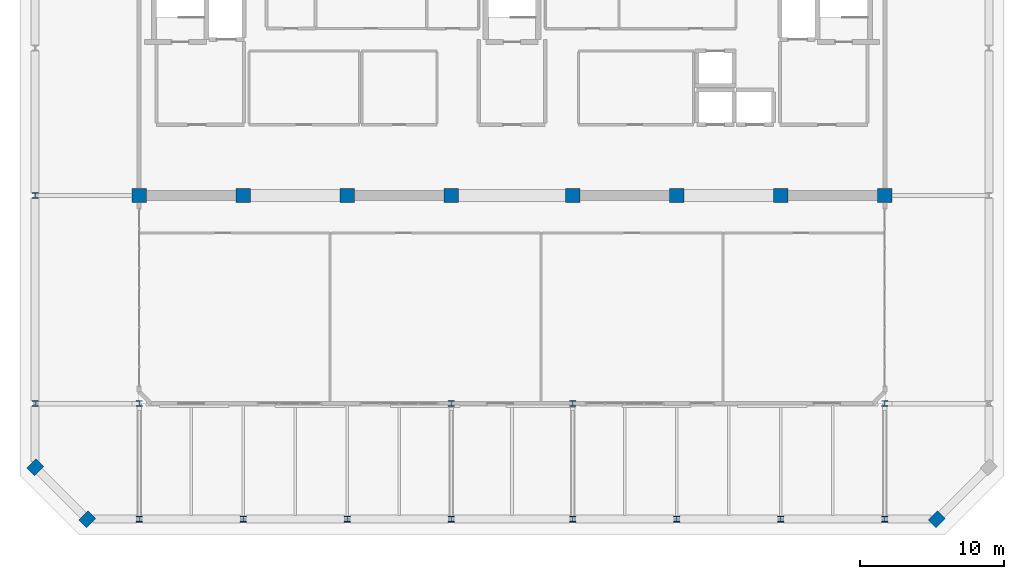
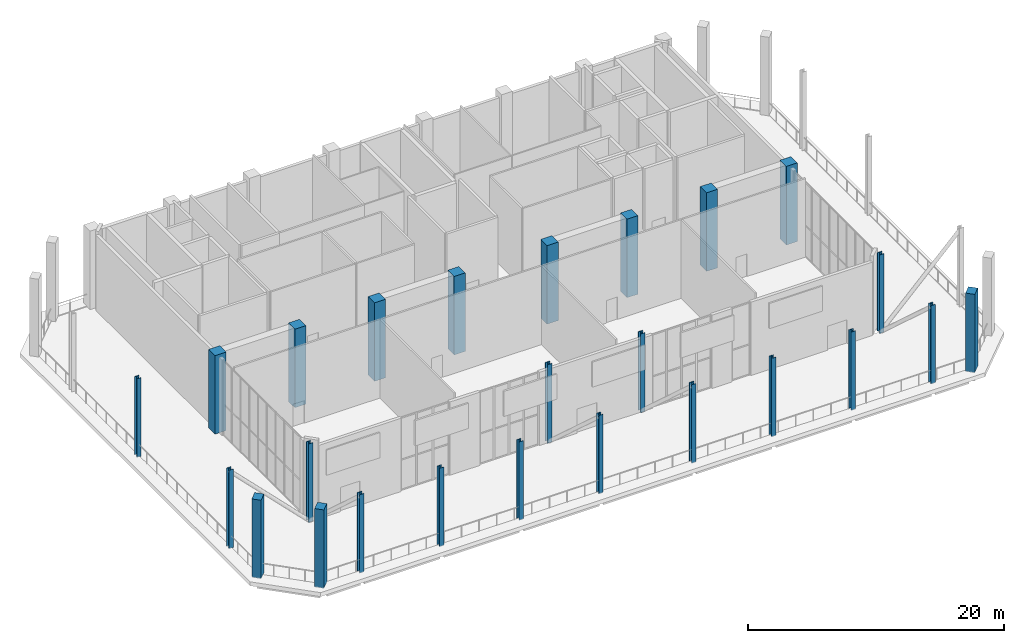
# One storey, part 1 of 23: 25 columns.
"""IFC4 building model written with IfcOpenShell, lengths in metres."""

from ifc_helpers import new_model, si_unit, direction, frame, origin, origin_2d, place, context, subcontext, project, spatial, rectangle, i_section, extrude, material, material_profile, profile_set, type_object, element, save


model = new_model("IFC4")

# Units and contexts
model_context = context("Model", 3, precision=1e-05, world=origin(), true_north=direction((0.0, 1.0)))
body_context = subcontext(model_context, "Body", "Model", "MODEL_VIEW")
ifc_project = project(units=[si_unit("LENGTHUNIT", "METRE"), si_unit("AREAUNIT", "SQUARE_METRE"), si_unit("VOLUMEUNIT", "CUBIC_METRE"), si_unit("PLANEANGLEUNIT", "RADIAN"), si_unit("MASSUNIT", "GRAM", prefix="KILO")], contexts=[model_context])

# Site, building, storey
site_placement = place(None, origin())
site = spatial("IfcSite", under=ifc_project, at=site_placement, CompositionType="ELEMENT")
building_placement = place(site_placement, origin())
building = spatial("IfcBuilding", under=site, at=building_placement, Name="Kaelvorn Grand Hotel", CompositionType="ELEMENT")
storey_placement = place(building_placement, frame((0.0, 0.0, 310.699951171875)))
storey = spatial("IfcBuildingStorey", under=building, at=storey_placement, Name="L75", CompositionType="ELEMENT", Elevation=310.699951171875)

# Columns
ifc_material_1 = material(Name="Concrete C60/75", Category="concrete")
ifc_material_profile_1 = material_profile(ifc_material_1, rectangle(XDim=0.89990234375, YDim=0.75, at=origin_2d()), Name="RC PILASTER 900x750")
ifc_profile_set_1 = profile_set([ifc_material_profile_1], Name="Concrete C60/75")
column_type_1 = type_object("IfcColumnType", Name="COL-PIL-900x750-C60", PredefinedType="PILASTER", material=ifc_profile_set_1)
for number, where, z_axis, x_axis, name in (
    (1, (12.60009765625, 7.0, 0.0), (0.0, 0.0, 1.0), (0.707106781187, 0.707106781187, 0.0), "L75 Structural Column CH-01"),
    (2, (71.39990234375, 7.0, 0.0), (0.0, 0.0, 1.0), (0.707106781187, 0.707106781187, 0.0), "L75 Structural Column CH-02"),
    (3, (9.0, 10.60009765625, 0.0), (0.0, 0.0, 1.0), (0.707106781187, 0.707106781187, 0.0), "L75 Structural Column CH-08"),
):
    element("IfcColumn", number, at=place(storey_placement, frame(where, z_axis=z_axis, x_axis=x_axis)), inside=storey, type_object=column_type_1, Name=name, PredefinedType="PILASTER", context=body_context, shape_type="SweptSolid", body=[
        extrude(rectangle(XDim=0.89990234375, YDim=0.75, at=origin_2d()), origin(), (0.0, 0.0, 1.0), 7.5),
    ])
ifc_material_2 = material(Name="Concrete C50/60", Category="concrete")
ifc_material_profile_2 = material_profile(ifc_material_2, rectangle(XDim=1.0, YDim=1.0, at=origin_2d()), Name="RC COL 1000x1000")
ifc_profile_set_2 = profile_set([ifc_material_profile_2], Name="Concrete C50/60")
column_type_2 = type_object("IfcColumnType", Name="COL-RC-1000-C50", PredefinedType="COLUMN", material=ifc_profile_set_2)
for number, where, z_axis, x_axis, name in (
    (4, (16.199951171875, 29.39990234375, 0.0), (0.0, 0.0, 1.0), (1.0, 0.0, 0.0), "L75 Structural Column CR1-01"),
    (5, (23.39990234375, 29.39990234375, 0.0), (0.0, 0.0, 1.0), (1.0, 0.0, 0.0), "L75 Structural Column CR1-02"),
    (6, (30.60009765625, 29.39990234375, 0.0), (0.0, 0.0, 1.0), (1.0, 0.0, 0.0), "L75 Structural Column CR1-03"),
    (7, (37.800048828125, 29.39990234375, 0.0), (0.0, 0.0, 1.0), (1.0, 0.0, 0.0), "L75 Structural Column CR1-04"),
    (8, (46.199951171875, 29.39990234375, 0.0), (0.0, 0.0, 1.0), (1.0, 0.0, 0.0), "L75 Structural Column CR1-05"),
    (9, (53.39990234375, 29.39990234375, 0.0), (0.0, 0.0, 1.0), (1.0, 0.0, 0.0), "L75 Structural Column CR1-06"),
    (10, (60.60009765625, 29.39990234375, 0.0), (0.0, 0.0, 1.0), (1.0, 0.0, 0.0), "L75 Structural Column CR1-07"),
    (11, (67.800048828125, 29.39990234375, 0.0), (0.0, 0.0, 1.0), (1.0, 0.0, 0.0), "L75 Structural Column CR1-08"),
):
    element("IfcColumn", number, at=place(storey_placement, frame(where, z_axis=z_axis, x_axis=x_axis)), inside=storey, type_object=column_type_2, Name=name, PredefinedType="COLUMN", context=body_context, shape_type="SweptSolid", body=[
        extrude(rectangle(XDim=1.0, YDim=1.0, at=origin_2d()), origin(), (0.0, 0.0, 1.0), 7.5),
    ])
ifc_material_3 = material(Name="Steel S355", Category="steel")
ifc_material_profile_3 = material_profile(ifc_material_3, i_section(OverallWidth=0.39892578125, OverallDepth=0.3935546875, WebThickness=0.022705078125, FlangeThickness=0.03662109375, FilletRadius=0.01513671875, at=origin_2d()), Name="UC 356x406x287")
ifc_profile_set_3 = profile_set([ifc_material_profile_3], Name="Steel S355")
column_type_3 = type_object("IfcColumnType", Name="COL-STL-UC356-S355", PredefinedType="COLUMN", material=ifc_profile_set_3)
for number, where, z_axis, x_axis, name in (
    (12, (16.199951171875, 7.0, 0.0), (0.0, 0.0, 1.0), (1.0, 0.0, 0.0), "L75 Structural Column CPS-01"),
    (13, (23.39990234375, 7.0, 0.0), (0.0, 0.0, 1.0), (1.0, 0.0, 0.0), "L75 Structural Column CPS-02"),
    (14, (30.60009765625, 7.0, 0.0), (0.0, 0.0, 1.0), (1.0, 0.0, 0.0), "L75 Structural Column CPS-03"),
    (15, (37.800048828125, 7.0, 0.0), (0.0, 0.0, 1.0), (1.0, 0.0, 0.0), "L75 Structural Column CPS-04"),
    (16, (46.199951171875, 7.0, 0.0), (0.0, 0.0, 1.0), (1.0, 0.0, 0.0), "L75 Structural Column CPS-05"),
    (17, (53.39990234375, 7.0, 0.0), (0.0, 0.0, 1.0), (1.0, 0.0, 0.0), "L75 Structural Column CPS-06"),
    (18, (60.60009765625, 7.0, 0.0), (0.0, 0.0, 1.0), (1.0, 0.0, 0.0), "L75 Structural Column CPS-07"),
    (19, (67.800048828125, 7.0, 0.0), (0.0, 0.0, 1.0), (1.0, 0.0, 0.0), "L75 Structural Column CPS-08"),
    (20, (16.199951171875, 15.0, 0.0), (0.0, 0.0, 1.0), (1.0, 0.0, 0.0), "L75 Structural Column CPM-01"),
    (21, (37.800048828125, 15.0, 0.0), (0.0, 0.0, 1.0), (1.0, 0.0, 0.0), "L75 Structural Column CPM-02"),
    (22, (46.199951171875, 15.0, 0.0), (0.0, 0.0, 1.0), (1.0, 0.0, 0.0), "L75 Structural Column CPM-03"),
    (23, (67.800048828125, 15.0, 0.0), (0.0, 0.0, 1.0), (1.0, 0.0, 0.0), "L75 Structural Column CPM-04"),
    (24, (9.0, 15.0, 0.0), (0.0, 0.0, 1.0), (1.0, 0.0, 0.0), "L75 Structural Column CPW-01"),
    (25, (9.0, 29.39990234375, 0.0), (0.0, 0.0, 1.0), (1.0, 0.0, 0.0), "L75 Structural Column CPW-02"),
):
    element("IfcColumn", number, at=place(storey_placement, frame(where, z_axis=z_axis, x_axis=x_axis)), inside=storey, type_object=column_type_3, Name=name, PredefinedType="COLUMN", context=body_context, shape_type="SweptSolid", body=[
        extrude(i_section(OverallWidth=0.39892578125, OverallDepth=0.3935546875, WebThickness=0.022705078125, FlangeThickness=0.03662109375, FilletRadius=0.01513671875, at=origin_2d()), origin(), (0.0, 0.0, 1.0), 7.5),
    ])

save(model, "model.ifc")
